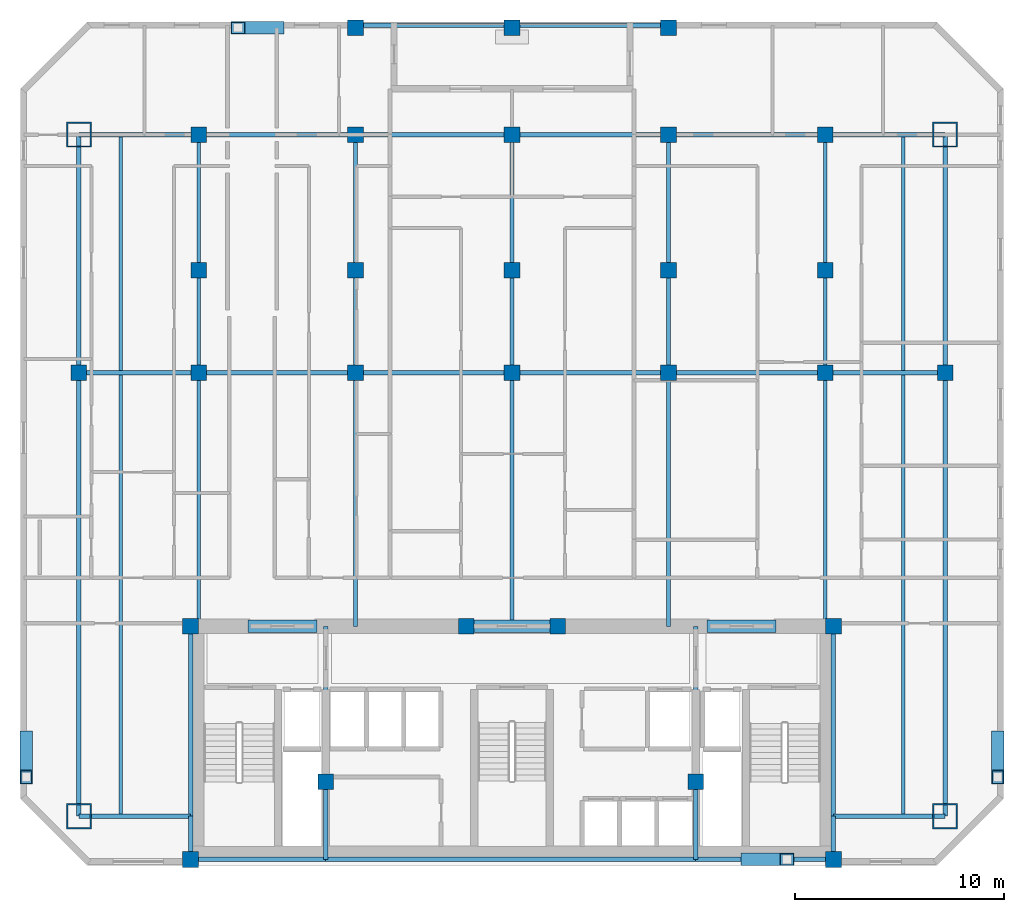
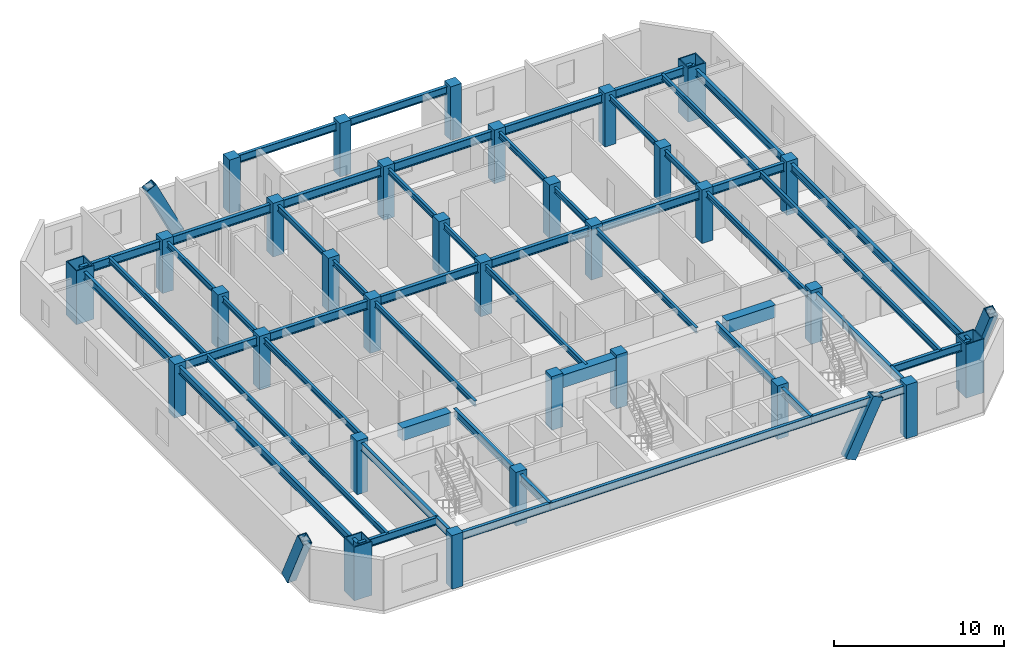
# One storey, part 1 of 8: 48 beams, 32 columns, 4 members.
"""IFC4 building model written with IfcOpenShell, lengths in metres."""

from ifc_helpers import new_model, si_unit, direction, frame, origin, origin_2d, place, context, subcontext, project, spatial, rectangle, hollow_rectangle, i_section, extrude, material, material_profile, profile_set, type_object, element, save


model = new_model("IFC4")

# Units and contexts
model_context = context("Model", 3, precision=1e-05, world=origin(), true_north=direction((0.0, 1.0)))
body_context = subcontext(model_context, "Body", "Model", "MODEL_VIEW")
ifc_project = project(units=[si_unit("LENGTHUNIT", "METRE"), si_unit("AREAUNIT", "SQUARE_METRE"), si_unit("VOLUMEUNIT", "CUBIC_METRE"), si_unit("PLANEANGLEUNIT", "RADIAN"), si_unit("MASSUNIT", "GRAM", prefix="KILO")], contexts=[model_context])

# Site, building, storey
site_placement = place(None, origin())
site = spatial("IfcSite", under=ifc_project, at=site_placement, CompositionType="ELEMENT")
building_placement = place(site_placement, origin())
building = spatial("IfcBuilding", under=site, at=building_placement, Name="Ventersveld Concourse Tower", CompositionType="ELEMENT")
storey_placement = place(building_placement, frame((0.0, 0.0, 179.85009765625)))
storey = spatial("IfcBuildingStorey", under=building, at=storey_placement, Name="L44", CompositionType="ELEMENT", Elevation=179.85009765625)

# Columns
ifc_material_1 = material(Name="Concrete C50/60", Category="concrete")
ifc_material_profile_1 = material_profile(ifc_material_1, rectangle(XDim=0.75, YDim=0.75, at=origin_2d()), Name="RC 750x750")
ifc_profile_set_1 = profile_set([ifc_material_profile_1], Name="Concrete C50/60")
column_type_1 = type_object("IfcColumnType", Name="COL-RC750", PredefinedType="COLUMN", material=ifc_profile_set_1)
for number, where, z_axis, x_axis, name in (
    (1, (13.35009765625, 0.280029296875, 0.0), (0.0, 0.0, 1.0), (1.0, 0.0, 0.0), "L44 Core Spine Column CC-SW"),
    (2, (44.14990234375, 0.280029296875, 0.0), (0.0, 0.0, 1.0), (1.0, 0.0, 0.0), "L44 Core Spine Column CC-SE"),
    (3, (13.35009765625, 11.449951171875, 0.0), (0.0, 0.0, 1.0), (1.0, 0.0, 0.0), "L44 Core Spine Column CC-NW"),
    (4, (44.14990234375, 11.449951171875, 0.0), (0.0, 0.0, 1.0), (1.0, 0.0, 0.0), "L44 Core Spine Column CC-NE"),
    (5, (19.820068359375, 4.0, 0.0), (0.0, 0.0, 1.0), (1.0, 0.0, 0.0), "L44 Core Spine Column CM-1"),
    (6, (37.550048828125, 4.0, 0.0), (0.0, 0.0, 1.0), (1.0, 0.0, 0.0), "L44 Core Spine Column CM-2"),
    (7, (26.550048828125, 11.449951171875, 0.0), (0.0, 0.0, 1.0), (1.0, 0.0, 0.0), "L44 Core Spine Column CM-3"),
    (8, (30.949951171875, 11.449951171875, 0.0), (0.0, 0.0, 1.0), (1.0, 0.0, 0.0), "L44 Core Spine Column CM-4"),
    (9, (8.0, 23.60009765625, 0.0), (0.0, 0.0, 1.0), (1.0, 0.0, 0.0), "L44 Interior Gravity Column X=8.00 Y=23.60"),
    (10, (13.75, 23.60009765625, 0.0), (0.0, 0.0, 1.0), (1.0, 0.0, 0.0), "L44 Interior Gravity Column X=13.75 Y=23.60"),
    (11, (21.25, 23.60009765625, 0.0), (0.0, 0.0, 1.0), (1.0, 0.0, 0.0), "L44 Interior Gravity Column X=21.25 Y=23.60"),
    (12, (28.75, 23.60009765625, 0.0), (0.0, 0.0, 1.0), (1.0, 0.0, 0.0), "L44 Interior Gravity Column X=28.75 Y=23.60"),
    (13, (36.25, 23.60009765625, 0.0), (0.0, 0.0, 1.0), (1.0, 0.0, 0.0), "L44 Interior Gravity Column X=36.25 Y=23.60"),
    (14, (43.75, 23.60009765625, 0.0), (0.0, 0.0, 1.0), (1.0, 0.0, 0.0), "L44 Interior Gravity Column X=43.75 Y=23.60"),
    (15, (49.5, 23.60009765625, 0.0), (0.0, 0.0, 1.0), (1.0, 0.0, 0.0), "L44 Interior Gravity Column X=49.50 Y=23.60"),
    (16, (13.75, 28.5, 0.0), (0.0, 0.0, 1.0), (1.0, 0.0, 0.0), "L44 Upper-North Gravity Column X=13.75 Y=28.50"),
    (17, (21.25, 28.5, 0.0), (0.0, 0.0, 1.0), (1.0, 0.0, 0.0), "L44 Upper-North Gravity Column X=21.25 Y=28.50"),
    (18, (28.75, 28.5, 0.0), (0.0, 0.0, 1.0), (1.0, 0.0, 0.0), "L44 Upper-North Gravity Column X=28.75 Y=28.50"),
    (19, (36.25, 28.5, 0.0), (0.0, 0.0, 1.0), (1.0, 0.0, 0.0), "L44 Upper-North Gravity Column X=36.25 Y=28.50"),
    (20, (43.75, 28.5, 0.0), (0.0, 0.0, 1.0), (1.0, 0.0, 0.0), "L44 Upper-North Gravity Column X=43.75 Y=28.50"),
    (21, (21.25, 40.1201171875, 0.0), (0.0, 0.0, 1.0), (1.0, 0.0, 0.0), "L44 North Brace Node Column X=21.25 Y=40.12"),
    (22, (28.75, 40.1201171875, 0.0), (0.0, 0.0, 1.0), (1.0, 0.0, 0.0), "L44 North Brace Node Column X=28.75 Y=40.12"),
    (23, (36.25, 40.1201171875, 0.0), (0.0, 0.0, 1.0), (1.0, 0.0, 0.0), "L44 North Brace Node Column X=36.25 Y=40.12"),
    (24, (13.75, 35.0, 0.0), (0.0, 0.0, 1.0), (1.0, 0.0, 0.0), "L44 Mid-North Column X=13.75 Y=35.00"),
    (25, (21.25, 35.0, 0.0), (0.0, 0.0, 1.0), (1.0, 0.0, 0.0), "L44 Mid-North Column X=21.25 Y=35.00"),
    (26, (28.75, 35.0, 0.0), (0.0, 0.0, 1.0), (1.0, 0.0, 0.0), "L44 Mid-North Column X=28.75 Y=35.00"),
    (27, (36.25, 35.0, 0.0), (0.0, 0.0, 1.0), (1.0, 0.0, 0.0), "L44 Mid-North Column X=36.25 Y=35.00"),
    (28, (43.75, 35.0, 0.0), (0.0, 0.0, 1.0), (1.0, 0.0, 0.0), "L44 Mid-North Column X=43.75 Y=35.00"),
):
    element("IfcColumn", number, at=place(storey_placement, frame(where, z_axis=z_axis, x_axis=x_axis)), inside=storey, type_object=column_type_1, Name=name, PredefinedType="COLUMN", context=body_context, shape_type="SweptSolid", body=[
        extrude(rectangle(XDim=0.75, YDim=0.75, at=origin_2d()), origin(), (0.0, 0.0, 1.0), 3.849853515625),
    ])
ifc_material_2 = material(Name="Structural steel S460ML", Category="steel")
ifc_material_profile_2 = material_profile(ifc_material_2, hollow_rectangle(XDim=1.199951171875, YDim=1.199951171875, WallThickness=0.070068359375, at=origin_2d()), Name="BOX 1200x1200x70")
ifc_profile_set_2 = profile_set([ifc_material_profile_2], Name="Structural steel S460ML")
column_type_2 = type_object("IfcColumnType", Name="MC-1200", PredefinedType="USERDEFINED", material=ifc_profile_set_2)
for number, where, z_axis, x_axis, name in (
    (29, (8.0, 2.35009765625, 0.0), (0.0, 0.0, 1.0), (1.0, 0.0, 0.0), "L44 Corner Mega-Column MC-SW"),
    (30, (49.5, 2.35009765625, 0.0), (0.0, 0.0, 1.0), (1.0, 0.0, 0.0), "L44 Corner Mega-Column MC-SE"),
    (31, (49.5, 35.0, 0.0), (0.0, 0.0, 1.0), (1.0, 0.0, 0.0), "L44 Corner Mega-Column MC-NE"),
    (32, (8.0, 35.0, 0.0), (0.0, 0.0, 1.0), (1.0, 0.0, 0.0), "L44 Corner Mega-Column MC-NW"),
):
    element("IfcColumn", number, at=place(storey_placement, frame(where, z_axis=z_axis, x_axis=x_axis)), inside=storey, type_object=column_type_2, Name=name, ObjectType="MEGA_COLUMN", PredefinedType="USERDEFINED", context=body_context, shape_type="SweptSolid", body=[
        extrude(hollow_rectangle(XDim=1.199951171875, YDim=1.199951171875, WallThickness=0.070068359375, at=origin_2d()), origin(), (0.0, 0.0, 1.0), 3.849853515625),
    ])

# Beams
ifc_material_3 = material(Name="Structural steel S355J2", Category="steel")
ifc_material_profile_3 = material_profile(ifc_material_3, i_section(OverallWidth=0.177978515625, OverallDepth=0.406494140625, WebThickness=0.0078125, FlangeThickness=0.0126953125, FilletRadius=0.01025390625, at=origin_2d()), Name="UB 406x178x60")
ifc_profile_set_3 = profile_set([ifc_material_profile_3], Name="Structural steel S355J2")
beam_type_1 = type_object("IfcBeamType", Name="BM-UB406", PredefinedType="BEAM", material=ifc_profile_set_3)
beam_1_placement = place(storey_placement, frame((10.0, 2.35009765625, 3.4267578125), z_axis=(0.0, 1.0, 0.0), x_axis=(-1.0, 0.0, 0.0)))
element("IfcBeam", 33, at=beam_1_placement, inside=storey, type_object=beam_type_1, Name="L44 N-S Composite Floor Beam South X=10.00", PredefinedType="BEAM", context=body_context, shape_type="SweptSolid", body=[
    extrude(i_section(OverallWidth=0.177978515625, OverallDepth=0.406494140625, WebThickness=0.0078125, FlangeThickness=0.0126953125, FilletRadius=0.01025390625, at=origin_2d()), origin(), (0.0, 0.0, 1.0), 21.15478515625),
])
beam_2_placement = place(storey_placement, frame((10.0, 23.695068359375, 3.4267578125), z_axis=(0.0, 1.0, 0.0), x_axis=(-1.0, 0.0, 0.0)))
element("IfcBeam", 34, at=beam_2_placement, inside=storey, type_object=beam_type_1, Name="L44 N-S Composite Floor Beam Mid X=10.00", PredefinedType="BEAM", context=body_context, shape_type="SweptSolid", body=[
    extrude(i_section(OverallWidth=0.177978515625, OverallDepth=0.406494140625, WebThickness=0.0078125, FlangeThickness=0.0126953125, FilletRadius=0.01025390625, at=origin_2d()), origin(), (0.0, 0.0, 1.0), 11.304931640625),
])
beam_3_placement = place(storey_placement, frame((13.75, 11.449951171875, 3.4267578125), z_axis=(0.0, 1.0, 0.0), x_axis=(-1.0, 0.0, 0.0)))
element("IfcBeam", 35, at=beam_3_placement, inside=storey, type_object=beam_type_1, Name="L44 N-S Composite Floor Beam South X=13.75", PredefinedType="BEAM", context=body_context, shape_type="SweptSolid", body=[
    extrude(i_section(OverallWidth=0.177978515625, OverallDepth=0.406494140625, WebThickness=0.0078125, FlangeThickness=0.0126953125, FilletRadius=0.01025390625, at=origin_2d()), origin(), (0.0, 0.0, 1.0), 12.150146484375),
])
beam_4_placement = place(storey_placement, frame((13.75, 23.60009765625, 3.4267578125), z_axis=(0.0, 1.0, 0.0), x_axis=(-1.0, 0.0, 0.0)))
element("IfcBeam", 36, at=beam_4_placement, inside=storey, type_object=beam_type_1, Name="L44 N-S Composite Floor Beam Mid X=13.75", PredefinedType="BEAM", context=body_context, shape_type="SweptSolid", body=[
    extrude(i_section(OverallWidth=0.177978515625, OverallDepth=0.406494140625, WebThickness=0.0078125, FlangeThickness=0.0126953125, FilletRadius=0.01025390625, at=origin_2d()), origin(), (0.0, 0.0, 1.0), 11.39990234375),
])
beam_5_placement = place(storey_placement, frame((21.25, 11.449951171875, 3.4267578125), z_axis=(0.0, 1.0, 0.0), x_axis=(-1.0, 0.0, 0.0)))
element("IfcBeam", 37, at=beam_5_placement, inside=storey, type_object=beam_type_1, Name="L44 N-S Composite Floor Beam South X=21.25", PredefinedType="BEAM", context=body_context, shape_type="SweptSolid", body=[
    extrude(i_section(OverallWidth=0.177978515625, OverallDepth=0.406494140625, WebThickness=0.0078125, FlangeThickness=0.0126953125, FilletRadius=0.01025390625, at=origin_2d()), origin(), (0.0, 0.0, 1.0), 12.150146484375),
])
beam_6_placement = place(storey_placement, frame((21.25, 23.60009765625, 3.4267578125), z_axis=(0.0, 1.0, 0.0), x_axis=(-1.0, 0.0, 0.0)))
element("IfcBeam", 38, at=beam_6_placement, inside=storey, type_object=beam_type_1, Name="L44 N-S Composite Floor Beam Mid X=21.25", PredefinedType="BEAM", context=body_context, shape_type="SweptSolid", body=[
    extrude(i_section(OverallWidth=0.177978515625, OverallDepth=0.406494140625, WebThickness=0.0078125, FlangeThickness=0.0126953125, FilletRadius=0.01025390625, at=origin_2d()), origin(), (0.0, 0.0, 1.0), 11.39990234375),
])
beam_7_placement = place(storey_placement, frame((28.75, 11.449951171875, 3.4267578125), z_axis=(0.0, 1.0, 0.0), x_axis=(-1.0, 0.0, 0.0)))
element("IfcBeam", 39, at=beam_7_placement, inside=storey, type_object=beam_type_1, Name="L44 N-S Composite Floor Beam South X=28.75", PredefinedType="BEAM", context=body_context, shape_type="SweptSolid", body=[
    extrude(i_section(OverallWidth=0.177978515625, OverallDepth=0.406494140625, WebThickness=0.0078125, FlangeThickness=0.0126953125, FilletRadius=0.01025390625, at=origin_2d()), origin(), (0.0, 0.0, 1.0), 12.150146484375),
])
beam_8_placement = place(storey_placement, frame((28.75, 23.60009765625, 3.4267578125), z_axis=(0.0, 1.0, 0.0), x_axis=(-1.0, 0.0, 0.0)))
element("IfcBeam", 40, at=beam_8_placement, inside=storey, type_object=beam_type_1, Name="L44 N-S Composite Floor Beam Mid X=28.75", PredefinedType="BEAM", context=body_context, shape_type="SweptSolid", body=[
    extrude(i_section(OverallWidth=0.177978515625, OverallDepth=0.406494140625, WebThickness=0.0078125, FlangeThickness=0.0126953125, FilletRadius=0.01025390625, at=origin_2d()), origin(), (0.0, 0.0, 1.0), 11.39990234375),
])
beam_9_placement = place(storey_placement, frame((36.25, 11.449951171875, 3.4267578125), z_axis=(0.0, 1.0, 0.0), x_axis=(-1.0, 0.0, 0.0)))
element("IfcBeam", 41, at=beam_9_placement, inside=storey, type_object=beam_type_1, Name="L44 N-S Composite Floor Beam South X=36.25", PredefinedType="BEAM", context=body_context, shape_type="SweptSolid", body=[
    extrude(i_section(OverallWidth=0.177978515625, OverallDepth=0.406494140625, WebThickness=0.0078125, FlangeThickness=0.0126953125, FilletRadius=0.01025390625, at=origin_2d()), origin(), (0.0, 0.0, 1.0), 12.150146484375),
])
beam_10_placement = place(storey_placement, frame((36.25, 23.60009765625, 3.4267578125), z_axis=(0.0, 1.0, 0.0), x_axis=(-1.0, 0.0, 0.0)))
element("IfcBeam", 42, at=beam_10_placement, inside=storey, type_object=beam_type_1, Name="L44 N-S Composite Floor Beam Mid X=36.25", PredefinedType="BEAM", context=body_context, shape_type="SweptSolid", body=[
    extrude(i_section(OverallWidth=0.177978515625, OverallDepth=0.406494140625, WebThickness=0.0078125, FlangeThickness=0.0126953125, FilletRadius=0.01025390625, at=origin_2d()), origin(), (0.0, 0.0, 1.0), 11.39990234375),
])
beam_11_placement = place(storey_placement, frame((43.75, 11.449951171875, 3.4267578125), z_axis=(0.0, 1.0, 0.0), x_axis=(-1.0, 0.0, 0.0)))
element("IfcBeam", 43, at=beam_11_placement, inside=storey, type_object=beam_type_1, Name="L44 N-S Composite Floor Beam South X=43.75", PredefinedType="BEAM", context=body_context, shape_type="SweptSolid", body=[
    extrude(i_section(OverallWidth=0.177978515625, OverallDepth=0.406494140625, WebThickness=0.0078125, FlangeThickness=0.0126953125, FilletRadius=0.01025390625, at=origin_2d()), origin(), (0.0, 0.0, 1.0), 12.150146484375),
])
beam_12_placement = place(storey_placement, frame((43.75, 23.60009765625, 3.4267578125), z_axis=(0.0, 1.0, 0.0), x_axis=(-1.0, 0.0, 0.0)))
element("IfcBeam", 44, at=beam_12_placement, inside=storey, type_object=beam_type_1, Name="L44 N-S Composite Floor Beam Mid X=43.75", PredefinedType="BEAM", context=body_context, shape_type="SweptSolid", body=[
    extrude(i_section(OverallWidth=0.177978515625, OverallDepth=0.406494140625, WebThickness=0.0078125, FlangeThickness=0.0126953125, FilletRadius=0.01025390625, at=origin_2d()), origin(), (0.0, 0.0, 1.0), 11.39990234375),
])
beam_13_placement = place(storey_placement, frame((47.5, 2.35009765625, 3.4267578125), z_axis=(0.0, 1.0, 0.0), x_axis=(-1.0, 0.0, 0.0)))
element("IfcBeam", 45, at=beam_13_placement, inside=storey, type_object=beam_type_1, Name="L44 N-S Composite Floor Beam South X=47.50", PredefinedType="BEAM", context=body_context, shape_type="SweptSolid", body=[
    extrude(i_section(OverallWidth=0.177978515625, OverallDepth=0.406494140625, WebThickness=0.0078125, FlangeThickness=0.0126953125, FilletRadius=0.01025390625, at=origin_2d()), origin(), (0.0, 0.0, 1.0), 21.15478515625),
])
beam_14_placement = place(storey_placement, frame((47.5, 23.695068359375, 3.4267578125), z_axis=(0.0, 1.0, 0.0), x_axis=(-1.0, 0.0, 0.0)))
element("IfcBeam", 46, at=beam_14_placement, inside=storey, type_object=beam_type_1, Name="L44 N-S Composite Floor Beam Mid X=47.50", PredefinedType="BEAM", context=body_context, shape_type="SweptSolid", body=[
    extrude(i_section(OverallWidth=0.177978515625, OverallDepth=0.406494140625, WebThickness=0.0078125, FlangeThickness=0.0126953125, FilletRadius=0.01025390625, at=origin_2d()), origin(), (0.0, 0.0, 1.0), 11.304931640625),
])
ifc_material_4 = material(Name="Concrete C60/75", Category="concrete")
ifc_material_profile_4 = material_profile(ifc_material_4, rectangle(XDim=0.60009765625, YDim=0.89990234375, at=origin_2d()), Name="RC 600x900")
ifc_profile_set_4 = profile_set([ifc_material_profile_4], Name="Concrete C60/75")
beam_type_2 = type_object("IfcBeamType", Name="CB-RC600x900L", PredefinedType="LINTEL", material=ifc_profile_set_4)
beam_15_placement = place(storey_placement, frame((16.10009765625, 11.449951171875, 3.179931640625), z_axis=(1.0, 0.0, 0.0), x_axis=(0.0, 1.0, 0.0)))
element("IfcBeam", 47, at=beam_15_placement, inside=storey, type_object=beam_type_2, Name="L44 Core Coupling Lintel Beam 1", PredefinedType="LINTEL", context=body_context, shape_type="SweptSolid", body=[
    extrude(rectangle(XDim=0.60009765625, YDim=0.89990234375, at=origin_2d()), origin(), (0.0, 0.0, 1.0), 3.2998046875),
])
beam_16_placement = place(storey_placement, frame((26.5, 11.449951171875, 3.179931640625), z_axis=(1.0, 0.0, 0.0), x_axis=(0.0, 1.0, 0.0)))
element("IfcBeam", 48, at=beam_16_placement, inside=storey, type_object=beam_type_2, Name="L44 Core Coupling Lintel Beam 2", PredefinedType="LINTEL", context=body_context, shape_type="SweptSolid", body=[
    extrude(rectangle(XDim=0.60009765625, YDim=0.89990234375, at=origin_2d()), origin(), (0.0, 0.0, 1.0), 4.5),
])
beam_17_placement = place(storey_placement, frame((38.10009765625, 11.449951171875, 3.179931640625), z_axis=(1.0, 0.0, 0.0), x_axis=(0.0, 1.0, 0.0)))
element("IfcBeam", 49, at=beam_17_placement, inside=storey, type_object=beam_type_2, Name="L44 Core Coupling Lintel Beam 3", PredefinedType="LINTEL", context=body_context, shape_type="SweptSolid", body=[
    extrude(rectangle(XDim=0.60009765625, YDim=0.89990234375, at=origin_2d()), origin(), (0.0, 0.0, 1.0), 3.2998046875),
])
ifc_material_profile_5 = material_profile(ifc_material_3, i_section(OverallWidth=0.2119140625, OverallDepth=0.54443359375, WebThickness=0.0126953125, FlangeThickness=0.021240234375, FilletRadius=0.0126953125, at=origin_2d()), Name="UB 533x210x122")
ifc_profile_set_5 = profile_set([ifc_material_profile_5], Name="Structural steel S355J2")
beam_type_3 = type_object("IfcBeamType", Name="GRD-UB533H", PredefinedType="T_BEAM", material=ifc_profile_set_5)
beam_18_placement = place(storey_placement, frame((13.35009765625, 0.280029296875, 3.357666015625), z_axis=(0.0, 1.0, 0.0), x_axis=(-1.0, 0.0, 0.0)))
element("IfcBeam", 50, at=beam_18_placement, inside=storey, type_object=beam_type_3, Name="L44 Core West Tie Beam S", PredefinedType="T_BEAM", context=body_context, shape_type="SweptSolid", body=[
    extrude(i_section(OverallWidth=0.2119140625, OverallDepth=0.54443359375, WebThickness=0.0126953125, FlangeThickness=0.021240234375, FilletRadius=0.0126953125, at=origin_2d()), origin(), (0.0, 0.0, 1.0), 2.070068359375),
])
beam_19_placement = place(storey_placement, frame((13.35009765625, 2.35009765625, 3.357666015625), z_axis=(0.0, 1.0, 0.0), x_axis=(-1.0, 0.0, 0.0)))
element("IfcBeam", 51, at=beam_19_placement, inside=storey, type_object=beam_type_3, Name="L44 Core West Tie Beam N", PredefinedType="T_BEAM", context=body_context, shape_type="SweptSolid", body=[
    extrude(i_section(OverallWidth=0.2119140625, OverallDepth=0.54443359375, WebThickness=0.0126953125, FlangeThickness=0.021240234375, FilletRadius=0.0126953125, at=origin_2d()), origin(), (0.0, 0.0, 1.0), 9.099853515625),
])
beam_20_placement = place(storey_placement, frame((44.14990234375, 0.280029296875, 3.357666015625), z_axis=(0.0, 1.0, 0.0), x_axis=(-1.0, 0.0, 0.0)))
element("IfcBeam", 52, at=beam_20_placement, inside=storey, type_object=beam_type_3, Name="L44 Core East Tie Beam S", PredefinedType="T_BEAM", context=body_context, shape_type="SweptSolid", body=[
    extrude(i_section(OverallWidth=0.2119140625, OverallDepth=0.54443359375, WebThickness=0.0126953125, FlangeThickness=0.021240234375, FilletRadius=0.0126953125, at=origin_2d()), origin(), (0.0, 0.0, 1.0), 2.070068359375),
])
beam_21_placement = place(storey_placement, frame((44.14990234375, 2.35009765625, 3.357666015625), z_axis=(0.0, 1.0, 0.0), x_axis=(-1.0, 0.0, 0.0)))
element("IfcBeam", 53, at=beam_21_placement, inside=storey, type_object=beam_type_3, Name="L44 Core East Tie Beam N", PredefinedType="T_BEAM", context=body_context, shape_type="SweptSolid", body=[
    extrude(i_section(OverallWidth=0.2119140625, OverallDepth=0.54443359375, WebThickness=0.0126953125, FlangeThickness=0.021240234375, FilletRadius=0.0126953125, at=origin_2d()), origin(), (0.0, 0.0, 1.0), 9.099853515625),
])
beam_22_placement = place(storey_placement, frame((13.35009765625, 0.280029296875, 3.357666015625), z_axis=(1.0, 0.0, 0.0), x_axis=(0.0, 1.0, 0.0)))
element("IfcBeam", 54, at=beam_22_placement, inside=storey, type_object=beam_type_3, Name="L44 Core South Tie Beam W", PredefinedType="T_BEAM", context=body_context, shape_type="SweptSolid", body=[
    extrude(i_section(OverallWidth=0.2119140625, OverallDepth=0.54443359375, WebThickness=0.0126953125, FlangeThickness=0.021240234375, FilletRadius=0.0126953125, at=origin_2d()), origin(), (0.0, 0.0, 1.0), 6.469970703125),
])
beam_23_placement = place(storey_placement, frame((19.820068359375, 0.280029296875, 3.357666015625), z_axis=(1.0, 0.0, 0.0), x_axis=(0.0, 1.0, 0.0)))
element("IfcBeam", 55, at=beam_23_placement, inside=storey, type_object=beam_type_3, Name="L44 Core South Tie Beam C", PredefinedType="T_BEAM", context=body_context, shape_type="SweptSolid", body=[
    extrude(i_section(OverallWidth=0.2119140625, OverallDepth=0.54443359375, WebThickness=0.0126953125, FlangeThickness=0.021240234375, FilletRadius=0.0126953125, at=origin_2d()), origin(), (0.0, 0.0, 1.0), 17.72998046875),
])
beam_24_placement = place(storey_placement, frame((37.550048828125, 0.280029296875, 3.357666015625), z_axis=(1.0, 0.0, 0.0), x_axis=(0.0, 1.0, 0.0)))
element("IfcBeam", 56, at=beam_24_placement, inside=storey, type_object=beam_type_3, Name="L44 Core South Tie Beam E", PredefinedType="T_BEAM", context=body_context, shape_type="SweptSolid", body=[
    extrude(i_section(OverallWidth=0.2119140625, OverallDepth=0.54443359375, WebThickness=0.0126953125, FlangeThickness=0.021240234375, FilletRadius=0.0126953125, at=origin_2d()), origin(), (0.0, 0.0, 1.0), 6.599853515625),
])
beam_25_placement = place(storey_placement, frame((19.820068359375, 0.280029296875, 3.357666015625), z_axis=(0.0, 1.0, 0.0), x_axis=(-1.0, 0.0, 0.0)))
element("IfcBeam", 57, at=beam_25_placement, inside=storey, type_object=beam_type_3, Name="L44 Core Spine N-S Tie Beam W1", PredefinedType="T_BEAM", context=body_context, shape_type="SweptSolid", body=[
    extrude(i_section(OverallWidth=0.2119140625, OverallDepth=0.54443359375, WebThickness=0.0126953125, FlangeThickness=0.021240234375, FilletRadius=0.0126953125, at=origin_2d()), origin(), (0.0, 0.0, 1.0), 3.719970703125),
])
beam_26_placement = place(storey_placement, frame((19.820068359375, 4.0, 3.357666015625), z_axis=(0.0, 1.0, 0.0), x_axis=(-1.0, 0.0, 0.0)))
element("IfcBeam", 58, at=beam_26_placement, inside=storey, type_object=beam_type_3, Name="L44 Core Spine N-S Tie Beam W2", PredefinedType="T_BEAM", context=body_context, shape_type="SweptSolid", body=[
    extrude(i_section(OverallWidth=0.2119140625, OverallDepth=0.54443359375, WebThickness=0.0126953125, FlangeThickness=0.021240234375, FilletRadius=0.0126953125, at=origin_2d()), origin(), (0.0, 0.0, 1.0), 7.449951171875),
])
beam_27_placement = place(storey_placement, frame((37.550048828125, 0.280029296875, 3.357666015625), z_axis=(0.0, 1.0, 0.0), x_axis=(-1.0, 0.0, 0.0)))
element("IfcBeam", 59, at=beam_27_placement, inside=storey, type_object=beam_type_3, Name="L44 Core Spine N-S Tie Beam E1", PredefinedType="T_BEAM", context=body_context, shape_type="SweptSolid", body=[
    extrude(i_section(OverallWidth=0.2119140625, OverallDepth=0.54443359375, WebThickness=0.0126953125, FlangeThickness=0.021240234375, FilletRadius=0.0126953125, at=origin_2d()), origin(), (0.0, 0.0, 1.0), 3.719970703125),
])
beam_28_placement = place(storey_placement, frame((37.550048828125, 4.0, 3.357666015625), z_axis=(0.0, 1.0, 0.0), x_axis=(-1.0, 0.0, 0.0)))
element("IfcBeam", 60, at=beam_28_placement, inside=storey, type_object=beam_type_3, Name="L44 Core Spine N-S Tie Beam E2", PredefinedType="T_BEAM", context=body_context, shape_type="SweptSolid", body=[
    extrude(i_section(OverallWidth=0.2119140625, OverallDepth=0.54443359375, WebThickness=0.0126953125, FlangeThickness=0.021240234375, FilletRadius=0.0126953125, at=origin_2d()), origin(), (0.0, 0.0, 1.0), 7.449951171875),
])
ifc_material_profile_6 = material_profile(ifc_material_3, i_section(OverallWidth=0.230224609375, OverallDepth=0.6171875, WebThickness=0.01318359375, FlangeThickness=0.022216796875, FilletRadius=0.0126953125, at=origin_2d()), Name="UB 610x229x140")
ifc_profile_set_6 = profile_set([ifc_material_profile_6], Name="Structural steel S355J2")
beam_type_4 = type_object("IfcBeamType", Name="GRD-UB610", PredefinedType="USERDEFINED", material=ifc_profile_set_6)
beam_29_placement = place(storey_placement, frame((8.0, 23.60009765625, 3.3212890625), z_axis=(1.0, 0.0, 0.0), x_axis=(0.0, 1.0, 0.0)))
element("IfcBeam", 61, at=beam_29_placement, inside=storey, type_object=beam_type_4, Name="L44 Primary E-W Grid Girder Y=23.60 #1", ObjectType="GIRDER", PredefinedType="USERDEFINED", context=body_context, shape_type="SweptSolid", body=[
    extrude(i_section(OverallWidth=0.230224609375, OverallDepth=0.6171875, WebThickness=0.01318359375, FlangeThickness=0.022216796875, FilletRadius=0.0126953125, at=origin_2d()), origin(), (0.0, 0.0, 1.0), 5.75),
])
for number, where, z_axis, x_axis, name in (
    (62, (13.75, 23.60009765625, 3.3212890625), (1.0, 0.0, 0.0), (0.0, 1.0, 0.0), "L44 Primary E-W Grid Girder Y=23.60 #2"),
    (63, (21.25, 23.60009765625, 3.3212890625), (1.0, 0.0, 0.0), (0.0, 1.0, 0.0), "L44 Primary E-W Grid Girder Y=23.60 #3"),
    (64, (28.75, 23.60009765625, 3.3212890625), (1.0, 0.0, 0.0), (0.0, 1.0, 0.0), "L44 Primary E-W Grid Girder Y=23.60 #4"),
    (65, (36.25, 23.60009765625, 3.3212890625), (1.0, 0.0, 0.0), (0.0, 1.0, 0.0), "L44 Primary E-W Grid Girder Y=23.60 #5"),
):
    element("IfcBeam", number, at=place(storey_placement, frame(where, z_axis=z_axis, x_axis=x_axis)), inside=storey, type_object=beam_type_4, Name=name, ObjectType="GIRDER", PredefinedType="USERDEFINED", context=body_context, shape_type="SweptSolid", body=[
        extrude(i_section(OverallWidth=0.230224609375, OverallDepth=0.6171875, WebThickness=0.01318359375, FlangeThickness=0.022216796875, FilletRadius=0.0126953125, at=origin_2d()), origin(), (0.0, 0.0, 1.0), 7.5),
    ])
for number, where, z_axis, x_axis, name in (
    (66, (43.75, 23.60009765625, 3.3212890625), (1.0, 0.0, 0.0), (0.0, 1.0, 0.0), "L44 Primary E-W Grid Girder Y=23.60 #6"),
    (67, (8.0, 35.0, 3.3212890625), (1.0, 0.0, 0.0), (0.0, 1.0, 0.0), "L44 E-W Grid Girder Y=35.00 #1"),
):
    element("IfcBeam", number, at=place(storey_placement, frame(where, z_axis=z_axis, x_axis=x_axis)), inside=storey, type_object=beam_type_4, Name=name, ObjectType="GIRDER", PredefinedType="USERDEFINED", context=body_context, shape_type="SweptSolid", body=[
        extrude(i_section(OverallWidth=0.230224609375, OverallDepth=0.6171875, WebThickness=0.01318359375, FlangeThickness=0.022216796875, FilletRadius=0.0126953125, at=origin_2d()), origin(), (0.0, 0.0, 1.0), 5.75),
    ])
for number, where, z_axis, x_axis, name in (
    (68, (13.75, 35.0, 3.3212890625), (1.0, 0.0, 0.0), (0.0, 1.0, 0.0), "L44 E-W Grid Girder Y=35.00 #2"),
    (69, (21.25, 35.0, 3.3212890625), (1.0, 0.0, 0.0), (0.0, 1.0, 0.0), "L44 E-W Grid Girder Y=35.00 #3"),
    (70, (28.75, 35.0, 3.3212890625), (1.0, 0.0, 0.0), (0.0, 1.0, 0.0), "L44 E-W Grid Girder Y=35.00 #4"),
    (71, (36.25, 35.0, 3.3212890625), (1.0, 0.0, 0.0), (0.0, 1.0, 0.0), "L44 E-W Grid Girder Y=35.00 #5"),
):
    element("IfcBeam", number, at=place(storey_placement, frame(where, z_axis=z_axis, x_axis=x_axis)), inside=storey, type_object=beam_type_4, Name=name, ObjectType="GIRDER", PredefinedType="USERDEFINED", context=body_context, shape_type="SweptSolid", body=[
        extrude(i_section(OverallWidth=0.230224609375, OverallDepth=0.6171875, WebThickness=0.01318359375, FlangeThickness=0.022216796875, FilletRadius=0.0126953125, at=origin_2d()), origin(), (0.0, 0.0, 1.0), 7.5),
    ])
beam_30_placement = place(storey_placement, frame((43.75, 35.0, 3.3212890625), z_axis=(1.0, 0.0, 0.0), x_axis=(0.0, 1.0, 0.0)))
element("IfcBeam", 72, at=beam_30_placement, inside=storey, type_object=beam_type_4, Name="L44 E-W Grid Girder Y=35.00 #6", ObjectType="GIRDER", PredefinedType="USERDEFINED", context=body_context, shape_type="SweptSolid", body=[
    extrude(i_section(OverallWidth=0.230224609375, OverallDepth=0.6171875, WebThickness=0.01318359375, FlangeThickness=0.022216796875, FilletRadius=0.0126953125, at=origin_2d()), origin(), (0.0, 0.0, 1.0), 5.75),
])

# Members
ifc_material_5 = material(Name="Structural steel S355ML", Category="steel")
ifc_material_profile_7 = material_profile(ifc_material_5, hollow_rectangle(XDim=0.60009765625, YDim=0.75, WallThickness=0.0400390625, at=origin_2d()), Name="BOX 750x600x40")
ifc_profile_set_7 = profile_set([ifc_material_profile_7], Name="Structural steel S355ML")
member_type = type_object("IfcMemberType", Name="MB-750x600", PredefinedType="BRACE", material=ifc_profile_set_7)
for number, where, z_axis, x_axis, name in (
    (73, (17.5, 40.1201171875, -0.22021484375), (-0.437839464193, 0.0, 0.899053170616), (0.0, -1.0, 0.0), "L44 Exterior Mega-Brace N (Module M10)"),
    (74, (40.050048828125, 0.280029296875, -0.22021484375), (0.437839464193, 0.0, 0.899053170616), (0.0, 1.0, 0.0), "L44 Exterior Mega-Brace S (Module M10)"),
    (75, (5.47998046875, 6.10009765625, -0.22021484375), (0.0, -0.437839464193, 0.899053170616), (1.0, 0.0, 0.0), "L44 Exterior Mega-Brace W (Module M10)"),
    (76, (52.02001953125, 6.10009765625, -0.22021484375), (0.0, -0.437839464193, 0.899053170616), (1.0, 0.0, 0.0), "L44 Exterior Mega-Brace E (Module M10)"),
):
    element("IfcMember", number, at=place(storey_placement, frame(where, z_axis=z_axis, x_axis=x_axis)), inside=storey, type_object=member_type, Name=name, PredefinedType="BRACE", context=body_context, shape_type="SweptSolid", body=[
        extrude(hollow_rectangle(XDim=0.60009765625, YDim=0.75, WallThickness=0.0400390625, at=origin_2d()), origin(), (0.0, 0.0, 1.0), 4.282470703125),
    ])

# Beams
ifc_material_profile_8 = material_profile(ifc_material_3, i_section(OverallWidth=0.2119140625, OverallDepth=0.54443359375, WebThickness=0.0126953125, FlangeThickness=0.021240234375, FilletRadius=0.0126953125, at=origin_2d()), Name="UB 533x210x122")
ifc_profile_set_8 = profile_set([ifc_material_profile_8], Name="Structural steel S355J2")
beam_type_5 = type_object("IfcBeamType", Name="SPD-UB533", PredefinedType="SPANDREL", material=ifc_profile_set_8)
for number, where, z_axis, x_axis, name in (
    (77, (8.0, 2.35009765625, 3.357666015625), (1.0, 0.0, 0.0), (0.0, 1.0, 0.0), "L44 SW Spandrel Beam"),
    (78, (44.14990234375, 2.35009765625, 3.357666015625), (1.0, 0.0, 0.0), (0.0, 1.0, 0.0), "L44 SE Spandrel Beam"),
):
    element("IfcBeam", number, at=place(storey_placement, frame(where, z_axis=z_axis, x_axis=x_axis)), inside=storey, type_object=beam_type_5, Name=name, PredefinedType="SPANDREL", context=body_context, shape_type="SweptSolid", body=[
        extrude(i_section(OverallWidth=0.2119140625, OverallDepth=0.54443359375, WebThickness=0.0126953125, FlangeThickness=0.021240234375, FilletRadius=0.0126953125, at=origin_2d()), origin(), (0.0, 0.0, 1.0), 5.35009765625),
    ])
beam_31_placement = place(storey_placement, frame((8.0, 2.35009765625, 3.357666015625), z_axis=(0.0, 1.0, 0.0), x_axis=(-1.0, 0.0, 0.0)))
element("IfcBeam", 79, at=beam_31_placement, inside=storey, type_object=beam_type_5, Name="L44 West Spandrel Beam S", PredefinedType="SPANDREL", context=body_context, shape_type="SweptSolid", body=[
    extrude(i_section(OverallWidth=0.2119140625, OverallDepth=0.54443359375, WebThickness=0.0126953125, FlangeThickness=0.021240234375, FilletRadius=0.0126953125, at=origin_2d()), origin(), (0.0, 0.0, 1.0), 21.25),
])
beam_32_placement = place(storey_placement, frame((8.0, 23.60009765625, 3.357666015625), z_axis=(0.0, 1.0, 0.0), x_axis=(-1.0, 0.0, 0.0)))
element("IfcBeam", 80, at=beam_32_placement, inside=storey, type_object=beam_type_5, Name="L44 West Spandrel Beam N", PredefinedType="SPANDREL", context=body_context, shape_type="SweptSolid", body=[
    extrude(i_section(OverallWidth=0.2119140625, OverallDepth=0.54443359375, WebThickness=0.0126953125, FlangeThickness=0.021240234375, FilletRadius=0.0126953125, at=origin_2d()), origin(), (0.0, 0.0, 1.0), 11.39990234375),
])
beam_33_placement = place(storey_placement, frame((49.5, 2.35009765625, 3.357666015625), z_axis=(0.0, 1.0, 0.0), x_axis=(-1.0, 0.0, 0.0)))
element("IfcBeam", 81, at=beam_33_placement, inside=storey, type_object=beam_type_5, Name="L44 East Spandrel Beam S", PredefinedType="SPANDREL", context=body_context, shape_type="SweptSolid", body=[
    extrude(i_section(OverallWidth=0.2119140625, OverallDepth=0.54443359375, WebThickness=0.0126953125, FlangeThickness=0.021240234375, FilletRadius=0.0126953125, at=origin_2d()), origin(), (0.0, 0.0, 1.0), 21.25),
])
beam_34_placement = place(storey_placement, frame((49.5, 23.60009765625, 3.357666015625), z_axis=(0.0, 1.0, 0.0), x_axis=(-1.0, 0.0, 0.0)))
element("IfcBeam", 82, at=beam_34_placement, inside=storey, type_object=beam_type_5, Name="L44 East Spandrel Beam N", PredefinedType="SPANDREL", context=body_context, shape_type="SweptSolid", body=[
    extrude(i_section(OverallWidth=0.2119140625, OverallDepth=0.54443359375, WebThickness=0.0126953125, FlangeThickness=0.021240234375, FilletRadius=0.0126953125, at=origin_2d()), origin(), (0.0, 0.0, 1.0), 11.39990234375),
])
for number, where, z_axis, x_axis, name in (
    (83, (21.25, 40.25, 3.357666015625), (1.0, 0.0, 0.0), (0.0, 1.0, 0.0), "L44 Terrace Edge Spandrel W"),
    (84, (28.75, 40.25, 3.357666015625), (1.0, 0.0, 0.0), (0.0, 1.0, 0.0), "L44 Terrace Edge Spandrel E"),
):
    element("IfcBeam", number, at=place(storey_placement, frame(where, z_axis=z_axis, x_axis=x_axis)), inside=storey, type_object=beam_type_5, Name=name, PredefinedType="SPANDREL", context=body_context, shape_type="SweptSolid", body=[
        extrude(i_section(OverallWidth=0.2119140625, OverallDepth=0.54443359375, WebThickness=0.0126953125, FlangeThickness=0.021240234375, FilletRadius=0.0126953125, at=origin_2d()), origin(), (0.0, 0.0, 1.0), 7.5),
    ])

save(model, "model.ifc")
